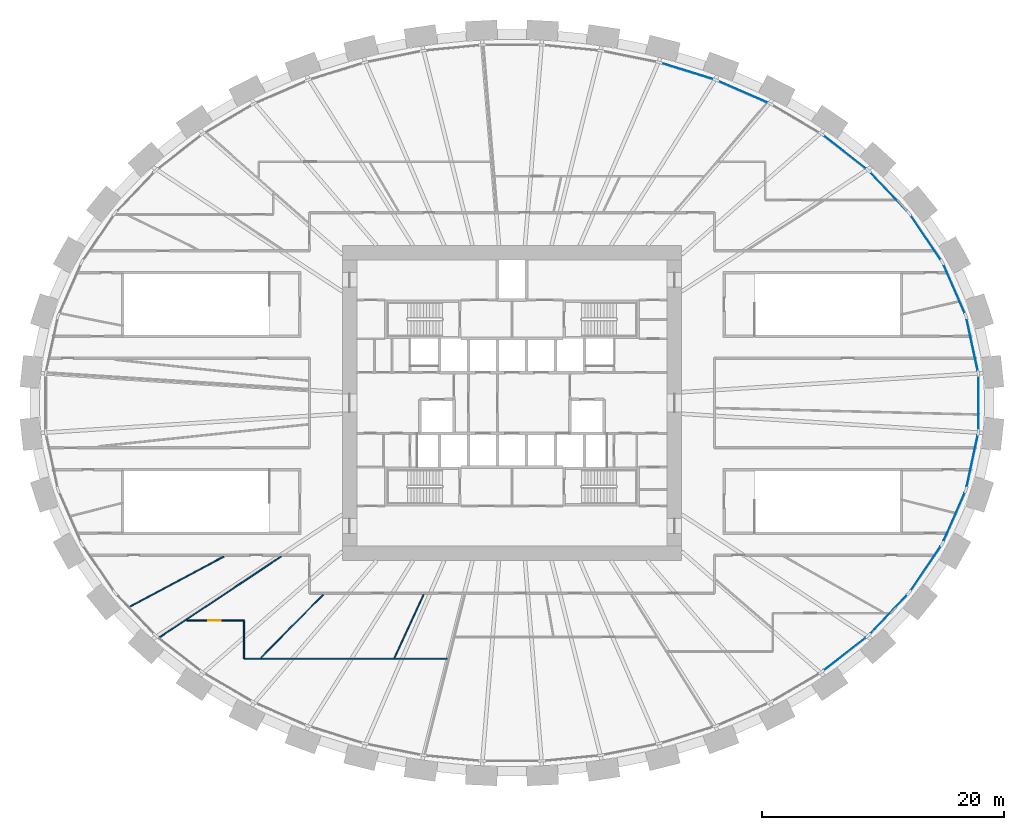
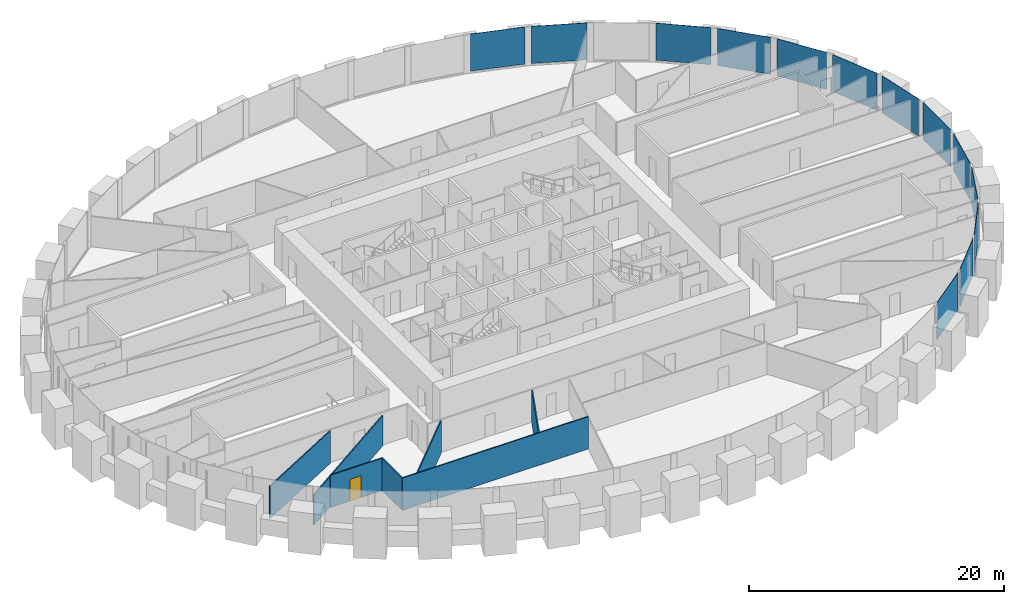
# One storey, part 5 of 12: 13 plates, 7 walls, 1 door, 1 opening, 1 element without a shape of its own.
"""IFC4 building model written with IfcOpenShell, lengths in metres."""

from ifc_helpers import new_model, si_unit, direction, frame, frame_2d, origin, origin_2d, place, context, subcontext, project, spatial, rectangle, extrude, source, transform, mapped, material, layer, layer_set, type_object, element, fill, aggregate, save


model = new_model("IFC4")

# Units and contexts
model_context = context("Model", 3, precision=1e-05, world=origin(), true_north=direction((0.0, 1.0)))
body_context = subcontext(model_context, "Body", "Model", "MODEL_VIEW")
ifc_project = project(units=[si_unit("LENGTHUNIT", "METRE"), si_unit("AREAUNIT", "SQUARE_METRE"), si_unit("VOLUMEUNIT", "CUBIC_METRE"), si_unit("PLANEANGLEUNIT", "RADIAN"), si_unit("MASSUNIT", "GRAM", prefix="KILO")], contexts=[model_context])

# Site, building, storey
site_placement = place(None, origin())
site = spatial("IfcSite", under=ifc_project, at=site_placement, CompositionType="ELEMENT")
building_placement = place(site_placement, origin())
building = spatial("IfcBuilding", under=site, at=building_placement, Name="Embergate Tower", CompositionType="ELEMENT")
storey_placement = place(building_placement, frame((0.0, 0.0, 38.0)))
storey = spatial("IfcBuildingStorey", under=building, at=storey_placement, Name="L05", CompositionType="ELEMENT", Elevation=38.0)

# Curtain wall, plates
ifc_material_1 = material(Name="Aluminium and glass", Category="aluminium")
curtain_wall_type = type_object("IfcCurtainWallType", Name="Recessed office glazing", PredefinedType="NOTDEFINED", material=ifc_material_1)
curtain_wall_placement = place(storey_placement, origin())
curtain_wall = element("IfcCurtainWall", 1, at=curtain_wall_placement, inside=storey, type_object=curtain_wall_type, Name="Recessed office glazing ring", ObjectType="RECESSED OFFICE GLAZING", PredefinedType="USERDEFINED")
ifc_material_2 = material(Name="Triple glazing, low-emissivity coating", Category="glass")
ifc_layer_1 = layer(ifc_material_2, 0.035888671875)
ifc_layer_set_1 = layer_set([ifc_layer_1], Name="Triple glazing, low-emissivity coating")
plate_type = type_object("IfcPlateType", Name="Office glazing unit", PredefinedType="CURTAIN_PANEL", material=ifc_layer_set_1)
shared_shape_1 = source(origin(), body_context, "Body", "SweptSolid", [
    extrude(rectangle(XDim=4.336181640625, YDim=0.035888671875, at=origin_2d()), origin(), (0.0, 0.0, 1.0), 3.550048828125),
])
plate_1_placement = place(storey_placement, frame((37.958984375, 4.800537109375, 0.14990234375), z_axis=(0.0, 0.0, 1.0), x_axis=(-0.210398391177, 0.97761573074, 0.0)))
plate_1 = element("IfcPlate", 2, at=plate_1_placement, type_object=plate_type, Name="CW panel 1.1", PredefinedType="CURTAIN_PANEL", context=body_context, shape_type="MappedRepresentation", body=[
    mapped(shared_shape_1, transform((0.0, 0.0, 0.0))),
])
plate_2_placement = place(storey_placement, frame((37.958984375, -4.800537109375, 0.14990234375), z_axis=(0.0, 0.0, 1.0), x_axis=(0.210398391177, 0.97761573074, 0.0)))
plate_2 = element("IfcPlate", 3, at=plate_2_placement, type_object=plate_type, Name="CW panel 43.1", PredefinedType="CURTAIN_PANEL", context=body_context, shape_type="MappedRepresentation", body=[
    mapped(shared_shape_1, transform((0.0, 0.0, 0.0))),
])
shared_shape_2 = source(origin(), body_context, "Body", "SweptSolid", [
    extrude(rectangle(XDim=4.34326171875, YDim=0.035888671875, at=origin_2d()), origin(), (0.0, 0.0, 1.0), 3.550048828125),
])
plate_3_placement = place(storey_placement, frame((36.471435546875, 9.401123046875, 0.14990234375), z_axis=(0.0, 0.0, 1.0), x_axis=(-0.401653699516, 0.915791627864, 0.0)))
plate_3 = element("IfcPlate", 4, at=plate_3_placement, type_object=plate_type, Name="CW panel 2.1", PredefinedType="CURTAIN_PANEL", context=body_context, shape_type="MappedRepresentation", body=[
    mapped(shared_shape_2, transform((0.0, 0.0, 0.0))),
])
plate_4_placement = place(storey_placement, frame((36.471435546875, -9.401123046875, 0.14990234375), z_axis=(0.0, 0.0, 1.0), x_axis=(0.401653699516, 0.915791627864, 0.0)))
plate_4 = element("IfcPlate", 5, at=plate_4_placement, type_object=plate_type, Name="CW panel 42.1", PredefinedType="CURTAIN_PANEL", context=body_context, shape_type="MappedRepresentation", body=[
    mapped(shared_shape_2, transform((0.0, 0.0, 0.0))),
])
shared_shape_3 = source(origin(), body_context, "Body", "SweptSolid", [
    extrude(rectangle(XDim=4.352294921875, YDim=0.035888671875, at=origin_2d()), origin(), (0.0, 0.0, 1.0), 3.550048828125),
])
plate_5_placement = place(storey_placement, frame((34.125, 13.642578125, 0.14990234375), z_axis=(0.0, 0.0, 1.0), x_axis=(-0.562344628355, 0.826902968286, 0.0)))
plate_5 = element("IfcPlate", 6, at=plate_5_placement, type_object=plate_type, Name="CW panel 3.1", PredefinedType="CURTAIN_PANEL", context=body_context, shape_type="MappedRepresentation", body=[
    mapped(shared_shape_3, transform((0.0, 0.0, 0.0))),
])
plate_6_placement = place(storey_placement, frame((34.125, -13.642578125, 0.14990234375), z_axis=(0.0, 0.0, 1.0), x_axis=(0.562344628355, 0.826902968286, 0.0)))
plate_6 = element("IfcPlate", 7, at=plate_6_placement, type_object=plate_type, Name="CW panel 41.1", PredefinedType="CURTAIN_PANEL", context=body_context, shape_type="MappedRepresentation", body=[
    mapped(shared_shape_3, transform((0.0, 0.0, 0.0))),
])
shared_shape_4 = source(origin(), body_context, "Body", "SweptSolid", [
    extrude(rectangle(XDim=4.36083984375, YDim=0.035888671875, at=origin_2d()), origin(), (0.0, 0.0, 1.0), 3.550048828125),
])
plate_7_placement = place(storey_placement, frame((31.07080078125, 17.423095703125, 0.14990234375), z_axis=(0.0, 0.0, 1.0), x_axis=(-0.690136310586, 0.723679399189, 0.0)))
plate_7 = element("IfcPlate", 8, at=plate_7_placement, type_object=plate_type, Name="CW panel 4.1", PredefinedType="CURTAIN_PANEL", context=body_context, shape_type="MappedRepresentation", body=[
    mapped(shared_shape_4, transform((0.0, 0.0, 0.0))),
])
plate_8_placement = place(storey_placement, frame((31.07080078125, -17.423095703125, 0.14990234375), z_axis=(0.0, 0.0, 1.0), x_axis=(0.690136310586, 0.723679399189, 0.0)))
plate_8 = element("IfcPlate", 9, at=plate_8_placement, type_object=plate_type, Name="CW panel 40.1", PredefinedType="CURTAIN_PANEL", context=body_context, shape_type="MappedRepresentation", body=[
    mapped(shared_shape_4, transform((0.0, 0.0, 0.0))),
])
shared_shape_5 = source(origin(), body_context, "Body", "SweptSolid", [
    extrude(rectangle(XDim=4.368408203125, YDim=0.035888671875, at=origin_2d()), origin(), (0.0, 0.0, 1.0), 3.550048828125),
])
plate_9_placement = place(storey_placement, frame((27.459716796875, 20.69287109375, 0.14990234375), z_axis=(0.0, 0.0, 1.0), x_axis=(-0.788322266931, 0.615262548398, 0.0)))
plate_9 = element("IfcPlate", 10, at=plate_9_placement, type_object=plate_type, Name="CW panel 5.1", PredefinedType="CURTAIN_PANEL", context=body_context, shape_type="MappedRepresentation", body=[
    mapped(shared_shape_5, transform((0.0, 0.0, 0.0))),
])
plate_10_placement = place(storey_placement, frame((27.459716796875, -20.69287109375, 0.14990234375), z_axis=(0.0, 0.0, 1.0), x_axis=(0.788322266931, 0.615262548398, 0.0)))
plate_10 = element("IfcPlate", 11, at=plate_10_placement, type_object=plate_type, Name="CW panel 39.1", PredefinedType="CURTAIN_PANEL", context=body_context, shape_type="MappedRepresentation", body=[
    mapped(shared_shape_5, transform((0.0, 0.0, 0.0))),
])
shared_shape_6 = source(origin(), body_context, "Body", "SweptSolid", [
    extrude(rectangle(XDim=4.37890625, YDim=0.035888671875, at=origin_2d()), origin(), (0.0, 0.0, 1.0), 3.550048828125),
])
plate_11_placement = place(storey_placement, frame((19.069091796875, 25.65869140625, 0.14990234375), z_axis=(0.0, 0.0, 1.0), x_axis=(-0.916236910986, 0.400636896638, 0.0)))
plate_11 = element("IfcPlate", 12, at=plate_11_placement, type_object=plate_type, Name="CW panel 7.1", PredefinedType="CURTAIN_PANEL", context=body_context, shape_type="MappedRepresentation", body=[
    mapped(shared_shape_6, transform((0.0, 0.0, 0.0))),
])
shared_shape_7 = source(origin(), body_context, "Body", "SweptSolid", [
    extrude(rectangle(XDim=4.38232421875, YDim=0.035888671875, at=origin_2d()), origin(), (0.0, 0.0, 1.0), 3.550048828125),
])
plate_12_placement = place(storey_placement, frame((14.484619140625, 27.368896484375, 0.14990234375), z_axis=(0.0, 0.0, 1.0), x_axis=(-0.954772736126, 0.297336547283, 0.0)))
plate_12 = element("IfcPlate", 13, at=plate_12_placement, type_object=plate_type, Name="CW panel 8.1", PredefinedType="CURTAIN_PANEL", context=body_context, shape_type="MappedRepresentation", body=[
    mapped(shared_shape_7, transform((0.0, 0.0, 0.0))),
])
shared_shape_8 = source(origin(), body_context, "Body", "SweptSolid", [
    extrude(rectangle(XDim=4.33349609375, YDim=0.035888671875, at=origin_2d()), origin(), (0.0, 0.0, 1.0), 3.550048828125),
])
plate_13_placement = place(storey_placement, frame((38.469970703125, 0.0, 0.14990234375), z_axis=(0.0, 0.0, 1.0), x_axis=(0.0, 1.0, 0.0)))
plate_13 = element("IfcPlate", 14, at=plate_13_placement, type_object=plate_type, Name="CW panel 44.1", PredefinedType="CURTAIN_PANEL", context=body_context, shape_type="MappedRepresentation", body=[
    mapped(shared_shape_8, transform((0.0, 0.0, 0.0))),
])
aggregate(curtain_wall, [plate_1, plate_3, plate_5, plate_7, plate_9, plate_11, plate_12, plate_10, plate_8, plate_6, plate_4, plate_2, plate_13])

# Walls
ifc_material_3 = material(Name="Partition dry-lined 100")
ifc_layer_2 = layer(ifc_material_3, 0.10009765625)
ifc_layer_set_2 = layer_set([ifc_layer_2], Name="Partition dry-lined 100")
wall_type = type_object("IfcWallType", Name="Partition dry-lined 100", PredefinedType="PARTITIONING", material=ifc_layer_set_2)
shared_shape_9 = source(origin(), body_context, "Body", "SweptSolid", [
    extrude(rectangle(XDim=7.306640625, YDim=0.10009765625, at=frame_2d((3.6533203125, 0.0))), origin(), (0.0, 0.0, 1.0), 3.10009765625),
])
wall_1_placement = place(storey_placement, frame((-15.575927734375, -15.81005859375, 0.0), z_axis=(0.0, 0.0, 1.0), x_axis=(-0.701841470571, -0.712333173583, 0.0)))
element("IfcWall", 15, at=wall_1_placement, inside=storey, type_object=wall_type, Name="IP-1 wall", PredefinedType="PARTITIONING", context=body_context, shape_type="MappedRepresentation", body=[
    mapped(shared_shape_9, transform((0.0, 0.0, 0.0))),
])
shared_shape_10 = source(origin(), body_context, "Body", "SweptSolid", [
    extrude(rectangle(XDim=12.129150390625, YDim=0.10009765625, at=frame_2d((6.064453125, 0.0))), origin(), (0.0, 0.0, 1.0), 2.89990234375),
])
wall_2_placement = place(storey_placement, frame((-29.14599609375, -19.383056640625, 0.0), z_axis=(0.0, 0.0, 1.0), x_axis=(0.832709296218, 0.553710418894, 0.0)))
element("IfcWall", 16, at=wall_2_placement, inside=storey, type_object=wall_type, Name="IP-1 wall", PredefinedType="PARTITIONING", context=body_context, shape_type="MappedRepresentation", body=[
    mapped(shared_shape_10, transform((0.0, 0.0, 0.0))),
])

# Wall, opening, door
shared_shape_11 = source(origin(), body_context, "Body", "SweptSolid", [
    extrude(rectangle(XDim=4.724853515625, YDim=0.10009765625, at=frame_2d((2.3623046875, 0.0))), origin(), (0.0, 0.0, 1.0), 3.10009765625),
])
wall_3_placement = place(storey_placement, frame((-26.824951171875, -17.949951171875, 0.0), z_axis=(0.0, 0.0, 1.0), x_axis=(1.0, 0.0, 0.0)))
wall_3 = element("IfcWall", 17, at=wall_3_placement, inside=storey, type_object=wall_type, Name="IP-1 wall", PredefinedType="PARTITIONING", context=body_context, shape_type="MappedRepresentation", body=[
    mapped(shared_shape_11, transform((0.0, 0.0, 0.0))),
])
shared_shape_12 = source(origin(), body_context, "Body", "SweptSolid", [
    extrude(rectangle(XDim=1.0, YDim=2.10009765625, at=frame_2d((0.5, 1.050048828125))), frame((0.0, 0.06005859375, 0.0), z_axis=(0.0, -1.0, 0.0), x_axis=(1.0, 0.0, 0.0)), (0.0, 0.0, 1.0), 0.1201171875),
])
opening_placement = place(wall_3_placement, frame((1.7802734375, 0.0, 0.0)))
opening = element("IfcOpeningElement", 18, at=opening_placement, cuts=wall_3, Name="Opening ID-2", PredefinedType="OPENING", context=body_context, shape_type="MappedRepresentation", body=[
    mapped(shared_shape_12, transform((0.0, 0.0, 0.0))),
])
ifc_material_4 = material(Name="Interior door 1000")
door_type = type_object("IfcDoorType", Name="Interior door 1000", OperationType="SINGLE_SWING_LEFT", PredefinedType="DOOR", material=ifc_material_4)
shared_shape_13 = source(origin(), body_context, "Body", "SweptSolid", [
    extrude(rectangle(XDim=1.0, YDim=2.10009765625, at=frame_2d((0.5, 1.050048828125))), frame((0.0, 0.02490234375, 0.0), z_axis=(0.0, -1.0, 0.0), x_axis=(1.0, 0.0, 0.0)), (0.0, 0.0, 1.0), 0.050048828125),
])
door_placement = place(opening_placement, origin())
door = element("IfcDoor", 19, at=door_placement, inside=storey, type_object=door_type, Name="ID-2 door", OperationType="SINGLE_SWING_RIGHT", OverallHeight=2.10009765625, OverallWidth=1.0, PredefinedType="DOOR", context=body_context, shape_type="MappedRepresentation", body=[
    mapped(shared_shape_13, transform((0.0, 0.0, 0.0))),
])
fill(opening, door)

# Walls
shared_shape_14 = source(origin(), body_context, "Body", "SweptSolid", [
    extrude(rectangle(XDim=3.150146484375, YDim=0.10009765625, at=frame_2d((1.5751953125, 0.0))), origin(), (0.0, 0.0, 1.0), 3.10009765625),
])
wall_4_placement = place(storey_placement, frame((-22.10009765625, -17.949951171875, 0.0), z_axis=(0.0, 0.0, 1.0), x_axis=(0.0, -1.0, 0.0)))
element("IfcWall", 20, at=wall_4_placement, inside=storey, type_object=wall_type, Name="IP-1 wall", PredefinedType="PARTITIONING", context=body_context, shape_type="MappedRepresentation", body=[
    mapped(shared_shape_14, transform((0.0, 0.0, 0.0))),
])
shared_shape_15 = source(origin(), body_context, "Body", "SweptSolid", [
    extrude(rectangle(XDim=16.796142578125, YDim=0.10009765625, at=frame_2d((8.39794921875, 0.0))), origin(), (0.0, 0.0, 1.0), 3.10009765625),
])
wall_5_placement = place(storey_placement, frame((-22.10009765625, -21.10009765625, 0.0), z_axis=(0.0, 0.0, 1.0), x_axis=(1.0, 0.0, 0.0)))
element("IfcWall", 21, at=wall_5_placement, inside=storey, type_object=wall_type, Name="IP-1 wall", PredefinedType="PARTITIONING", context=body_context, shape_type="MappedRepresentation", body=[
    mapped(shared_shape_15, transform((0.0, 0.0, 0.0))),
])
shared_shape_16 = source(origin(), body_context, "Body", "SweptSolid", [
    extrude(rectangle(XDim=5.762939453125, YDim=0.10009765625, at=frame_2d((2.88134765625, 0.0))), origin(), (0.0, 0.0, 1.0), 3.10009765625),
])
wall_6_placement = place(storey_placement, frame((-7.287109375, -15.7958984375, 0.0), z_axis=(0.0, 0.0, 1.0), x_axis=(-0.418845936219, -0.90805731191, 0.0)))
element("IfcWall", 22, at=wall_6_placement, inside=storey, type_object=wall_type, Name="IP-1 wall", PredefinedType="PARTITIONING", context=body_context, shape_type="MappedRepresentation", body=[
    mapped(shared_shape_16, transform((0.0, 0.0, 0.0))),
])
shared_shape_17 = source(origin(), body_context, "Body", "SweptSolid", [
    extrude(rectangle(XDim=8.962890625, YDim=0.10009765625, at=frame_2d((4.4814453125, 0.0))), origin(), (0.0, 0.0, 1.0), 3.10009765625),
])
wall_7_placement = place(storey_placement, frame((-23.777099609375, -12.6689453125, 0.0), z_axis=(0.0, 0.0, 1.0), x_axis=(-0.882516510374, -0.470281414599, 0.0)))
element("IfcWall", 23, at=wall_7_placement, inside=storey, type_object=wall_type, Name="IP-1 wall", PredefinedType="PARTITIONING", context=body_context, shape_type="MappedRepresentation", body=[
    mapped(shared_shape_17, transform((0.0, 0.0, 0.0))),
])

save(model, "model.ifc")
